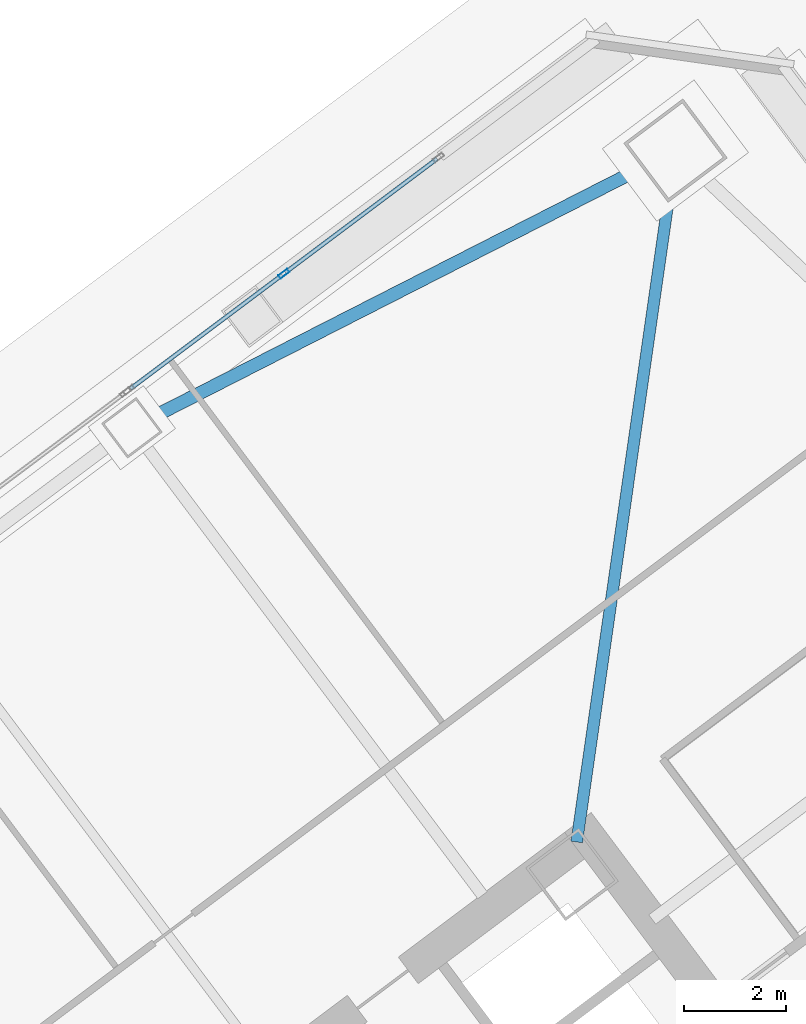
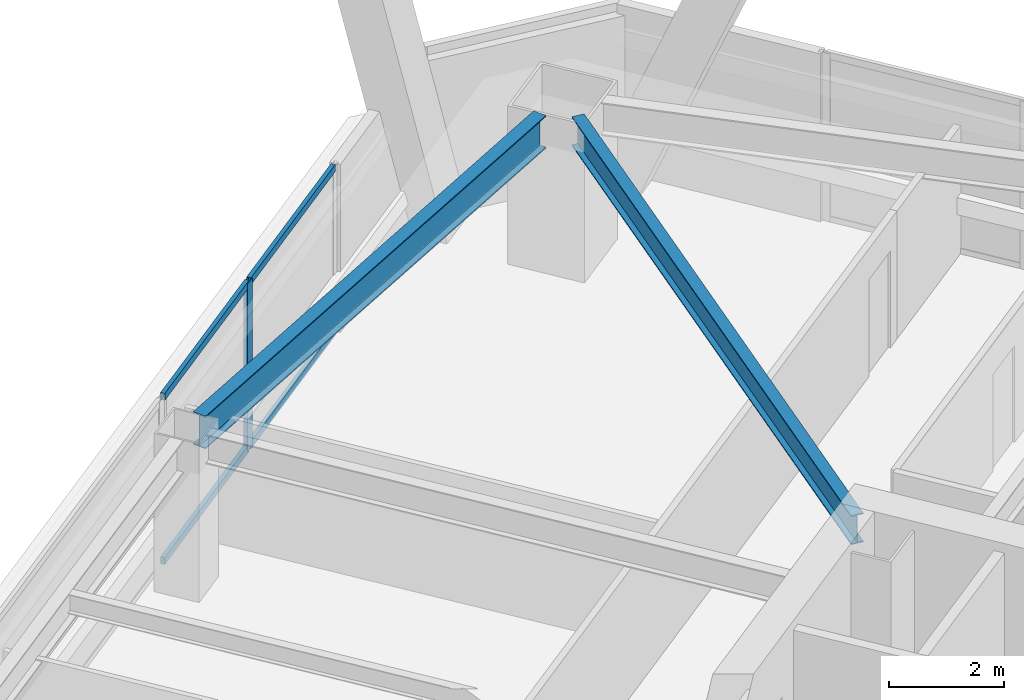
# One storey, part 49 of 67: 5 members, 2 beams, 1 element without a shape of its own.
"""IFC4 building model written with IfcOpenShell, lengths in metres."""

from ifc_helpers import new_model, si_unit, direction, frame, origin, origin_2d, place, context, subcontext, project, spatial, hollow_rectangle, i_section, extrude, material, material_profile, profile_set, type_object, element, aggregate, save


model = new_model("IFC4")

# Units and contexts
model_context = context("Model", 3, precision=1e-05, world=origin(), true_north=direction((0.0, 1.0)))
body_context = subcontext(model_context, "Body", "Model", "MODEL_VIEW")
ifc_project = project(units=[si_unit("LENGTHUNIT", "METRE"), si_unit("AREAUNIT", "SQUARE_METRE"), si_unit("VOLUMEUNIT", "CUBIC_METRE"), si_unit("PLANEANGLEUNIT", "RADIAN"), si_unit("MASSUNIT", "GRAM", prefix="KILO")], contexts=[model_context])

# Site, building, storey
site_placement = place(None, origin())
site = spatial("IfcSite", under=ifc_project, at=site_placement, CompositionType="ELEMENT")
building_placement = place(site_placement, origin())
building = spatial("IfcBuilding", under=site, at=building_placement, Name="Tashvorn Skyway Center", CompositionType="ELEMENT")
storey_placement = place(building_placement, frame((0.0, 0.0, 67.199951171875)))
storey = spatial("IfcBuildingStorey", under=building, at=storey_placement, Name="L17", CompositionType="ELEMENT", Elevation=67.199951171875)

# Beams
ifc_material_1 = material(Name="Steel ASTM A992 Grade 50", Category="steel")
ifc_material_profile_1 = material_profile(ifc_material_1, i_section(OverallWidth=0.22998046875, OverallDepth=0.616943359375, WebThickness=0.01318359375, FlangeThickness=0.022216796875, at=origin_2d()), Name="W24X94")
ifc_profile_set_1 = profile_set([ifc_material_profile_1], Name="Steel ASTM A992 Grade 50")
beam_type_1 = type_object("IfcBeamType", Name="BM-BEAM-W24X94", PredefinedType="BEAM", material=ifc_profile_set_1)
beam_1_placement = place(storey_placement, frame((117.338134765625, 55.3671875, 3.04150390625), z_axis=(-0.141418724841, -0.989949869571, 0.0), x_axis=(0.989949869571, -0.141418724841, 0.0)))
element("IfcBeam", 1, at=beam_1_placement, inside=storey, type_object=beam_type_1, Name="Tower 2 L17 Primary Floor Girder MC-NE", PredefinedType="BEAM", context=body_context, shape_type="SweptSolid", body=[
    extrude(i_section(OverallWidth=0.22998046875, OverallDepth=0.616943359375, WebThickness=0.01318359375, FlangeThickness=0.022216796875, at=origin_2d()), origin(), (0.0, 0.0, 1.0), 12.9892578125),
])
ifc_material_profile_2 = material_profile(ifc_material_1, i_section(OverallWidth=0.256103515625, OverallDepth=0.693115234375, WebThickness=0.014404296875, FlangeThickness=0.023681640625, at=origin_2d()), Name="W27X114")
ifc_profile_set_2 = profile_set([ifc_material_profile_2], Name="Steel ASTM A992 Grade 50")
beam_type_2 = type_object("IfcBeamType", Name="BM-SPANDREL-W27X114", PredefinedType="SPANDREL", material=ifc_profile_set_2)
beam_2_placement = place(storey_placement, frame((116.798583984375, 55.7529296875, 3.003662109375), z_axis=(-0.890894170442, -0.454210938961, 0.0), x_axis=(0.454210938961, -0.890894170442, 0.0)))
element("IfcBeam", 2, at=beam_2_placement, inside=storey, type_object=beam_type_2, Name="Tower 2 L17 Spandrel Beam 07", PredefinedType="SPANDREL", context=body_context, shape_type="SweptSolid", body=[
    extrude(i_section(OverallWidth=0.256103515625, OverallDepth=0.693115234375, WebThickness=0.014404296875, FlangeThickness=0.023681640625, at=origin_2d()), origin(), (0.0, 0.0, 1.0), 10.836669921875),
])

# Curtain wall, members
ifc_material_2 = material(Name="Thermally broken bronze-anodized aluminium 6063-T6", Category="aluminium")
curtain_wall_type = type_object("IfcCurtainWallType", Name="CW-CW-Z2", PredefinedType="NOTDEFINED", material=ifc_material_2)
curtain_wall_placement = place(storey_placement, origin())
curtain_wall = element("IfcCurtainWall", 3, at=curtain_wall_placement, inside=storey, type_object=curtain_wall_type, Name="Tower 2 L17 North Unitised Curtain Wall Glazing Group 3", PredefinedType="NOTDEFINED")
ifc_material_profile_3 = material_profile(ifc_material_2, hollow_rectangle(XDim=0.080078125, YDim=0.219970703125, WallThickness=0.0048828125, at=origin_2d()), Name="ALU-MULL-80x220")
ifc_profile_set_3 = profile_set([ifc_material_profile_3], Name="Thermally broken bronze-anodized aluminium 6063-T6")
member_type_1 = type_object("IfcMemberType", Name="CWM-CW-Z2", PredefinedType="MULLION", material=ifc_profile_set_3)
member_1_placement = place(storey_placement, frame((109.751953125, 53.6640625, 0.0), z_axis=(0.0, 0.0, 1.0), x_axis=(-0.600000000002, 0.799999999998, 0.0)))
member_1 = element("IfcMember", 4, at=member_1_placement, type_object=member_type_1, Name="CW-Z2 mullion 2", PredefinedType="MULLION", context=body_context, shape_type="SweptSolid", body=[
    extrude(hollow_rectangle(XDim=0.080078125, YDim=0.219970703125, WallThickness=0.0048828125, at=origin_2d()), origin(), (0.0, 0.0, 1.0), 3.550048828125),
])
ifc_material_profile_4 = material_profile(ifc_material_2, hollow_rectangle(XDim=0.080078125, YDim=0.14990234375, WallThickness=0.00439453125, at=origin_2d()), Name="ALU-TRAN-80x150")
ifc_profile_set_4 = profile_set([ifc_material_profile_4], Name="Thermally broken bronze-anodized aluminium 6063-T6")
member_type_2 = type_object("IfcMemberType", Name="CWT-CW-Z2", PredefinedType="USERDEFINED", material=ifc_profile_set_4)
member_2_placement = place(storey_placement, frame((106.743896484375, 51.407958984375, 0.0400390625), z_axis=(0.80001575065, 0.599978998559, 0.0), x_axis=(-0.599978998559, 0.80001575065, 0.0)))
member_2 = element("IfcMember", 5, at=member_2_placement, type_object=member_type_2, Name="CW-Z2 transom 1.1", ObjectType="TRANSOM", PredefinedType="USERDEFINED", context=body_context, shape_type="SweptSolid", body=[
    extrude(hollow_rectangle(XDim=0.080078125, YDim=0.14990234375, WallThickness=0.00439453125, at=origin_2d()), origin(), (0.0, 0.0, 1.0), 3.719970703125),
])
member_3_placement = place(storey_placement, frame((106.743896484375, 51.407958984375, 3.510009765625), z_axis=(0.80001575065, 0.599978998559, 0.0), x_axis=(-0.599978998559, 0.80001575065, 0.0)))
member_3 = element("IfcMember", 6, at=member_3_placement, type_object=member_type_2, Name="CW-Z2 transom 1.2", ObjectType="TRANSOM", PredefinedType="USERDEFINED", context=body_context, shape_type="SweptSolid", body=[
    extrude(hollow_rectangle(XDim=0.080078125, YDim=0.14990234375, WallThickness=0.00439453125, at=origin_2d()), origin(), (0.0, 0.0, 1.0), 3.719970703125),
])
member_4_placement = place(storey_placement, frame((109.783935546875, 53.68798828125, 0.0400390625), z_axis=(0.80001575065, 0.599978998559, 0.0), x_axis=(-0.599978998559, 0.80001575065, 0.0)))
member_4 = element("IfcMember", 7, at=member_4_placement, type_object=member_type_2, Name="CW-Z2 transom 2.1", ObjectType="TRANSOM", PredefinedType="USERDEFINED", context=body_context, shape_type="SweptSolid", body=[
    extrude(hollow_rectangle(XDim=0.080078125, YDim=0.14990234375, WallThickness=0.00439453125, at=origin_2d()), origin(), (0.0, 0.0, 1.0), 3.719970703125),
])
member_5_placement = place(storey_placement, frame((109.783935546875, 53.68798828125, 3.510009765625), z_axis=(0.80001575065, 0.599978998559, 0.0), x_axis=(-0.599978998559, 0.80001575065, 0.0)))
member_5 = element("IfcMember", 8, at=member_5_placement, type_object=member_type_2, Name="CW-Z2 transom 2.2", ObjectType="TRANSOM", PredefinedType="USERDEFINED", context=body_context, shape_type="SweptSolid", body=[
    extrude(hollow_rectangle(XDim=0.080078125, YDim=0.14990234375, WallThickness=0.00439453125, at=origin_2d()), origin(), (0.0, 0.0, 1.0), 3.719970703125),
])
aggregate(curtain_wall, [member_1, member_2, member_3, member_4, member_5])

save(model, "model.ifc")
